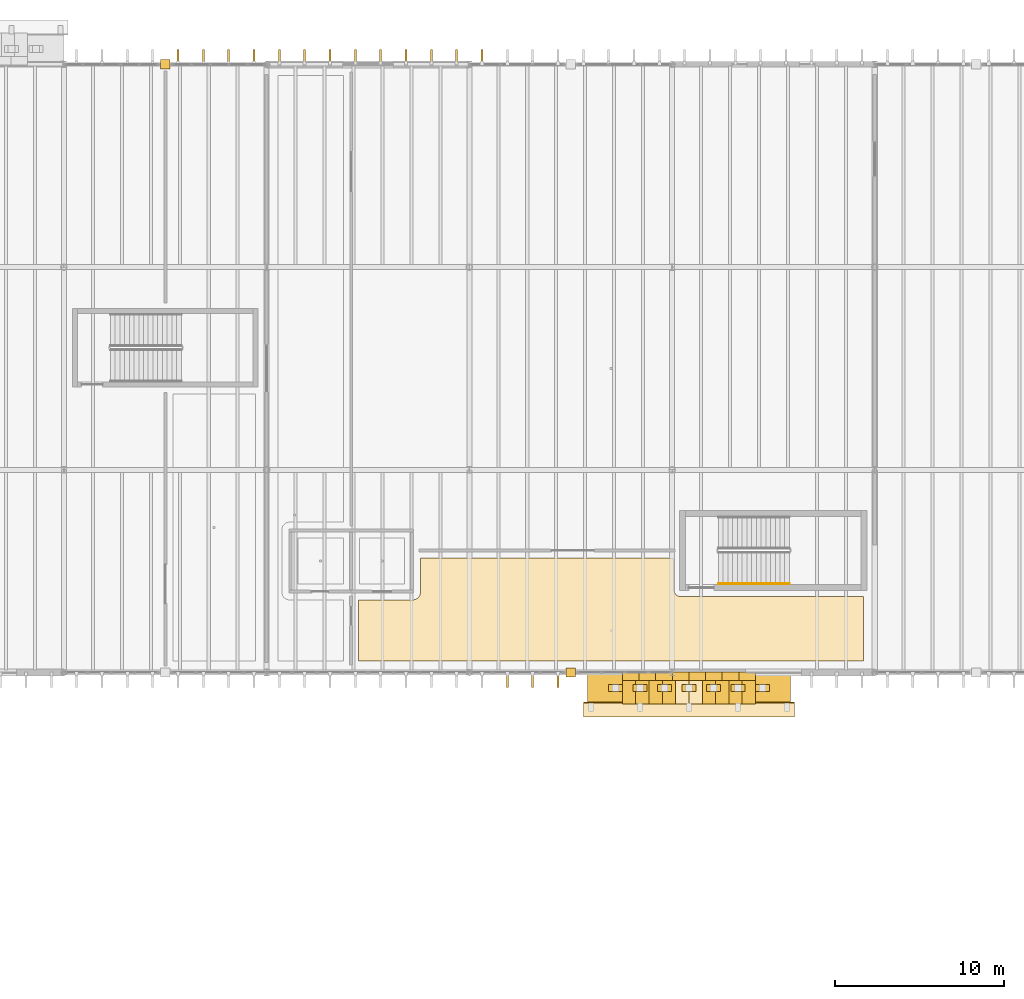
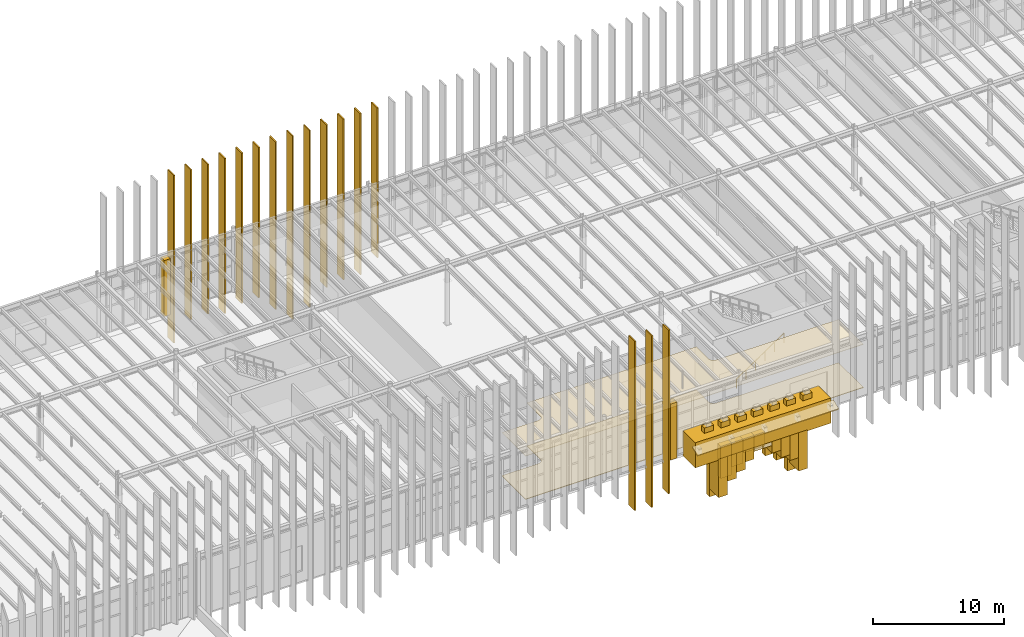
# One storey, part 66 of 83: 47 coverings, 1 railing.
"""IFC4 building model written with IfcOpenShell, lengths in metres."""

import ifcopenshell
import ifcopenshell.guid

model = None  # the IFC model being written
_history = None  # IfcOwnerHistory: only IFC2X3 demands one
_inside = {}  # id of a spatial element -> (the spatial element, [elements in it])
_under = {}  # id of a project, library or spatial element -> (it, [spatial elements below it])
_declared = {}  # id of a project -> (the project, [libraries it declares])
_typed = {}  # id of a type object -> (the type object, [elements of that type])
_made_of = {}  # id of a material, layer set ... -> (it, [elements and type objects made of it])


def new_model(schema):
    """Start an empty IFC model of exactly this schema.

    Asked for "IFC4X3", IfcOpenShell would pick the latest addendum, in which some entities
    have other attributes; the version numbers below select the first issue.
    IFC2X3 requires an IfcOwnerHistory on every rooted entity: one is made here for all.
    """
    global model, _history
    if schema == "IFC4X3":
        model = ifcopenshell.file(schema_version=(4, 3, 0, 0))
    else:
        model = ifcopenshell.file(schema=schema)
    _inside.clear()
    _under.clear()
    _declared.clear()
    _typed.clear()
    _made_of.clear()
    _history = None
    if model.schema == "IFC2X3":
        org = make("IfcOrganization", Name="unknown")
        user = make(
            "IfcPersonAndOrganization",
            ThePerson=make("IfcPerson", FamilyName="unknown"),
            TheOrganization=org,
        )
        app = make(
            "IfcApplication",
            ApplicationDeveloper=org,
            Version="unknown",
            ApplicationFullName="unknown",
            ApplicationIdentifier="unknown",
        )
        _history = make(
            "IfcOwnerHistory",
            OwningUser=user,
            OwningApplication=app,
            ChangeAction="ADDED",
            CreationDate=0,
        )
    return model


def make(cls, **values):
    """One entity of the class cls with the attributes given. An attribute that is None is left unset."""
    return model.create_entity(
        cls, **{name: value for name, value in values.items() if value is not None}
    )


def rooted(cls, **values):
    """An entity with a GlobalId (a new one), such as an element, a storey or a relation."""
    return make(cls, GlobalId=ifcopenshell.guid.new(), OwnerHistory=_history, **values)


def si_unit(unit_type, name, prefix=None):
    """IfcSIUnit, for example si_unit("LENGTHUNIT", "METRE", prefix="MILLI")."""
    return make("IfcSIUnit", UnitType=unit_type, Prefix=prefix, Name=name)


def assignment(units):
    """IfcUnitAssignment: the units of a project."""
    return None if units is None else make("IfcUnitAssignment", Units=units)


def point(xyz):
    """IfcCartesianPoint."""
    return None if xyz is None else make("IfcCartesianPoint", Coordinates=xyz)


def direction(xyz):
    """IfcDirection."""
    return None if xyz is None else make("IfcDirection", DirectionRatios=xyz)


def frame(location, z_axis=None, x_axis=None):
    """IfcAxis2Placement3D, a coordinate frame: its origin and axes. An axis left out is left unset."""
    return make(
        "IfcAxis2Placement3D",
        Location=point(location),
        Axis=direction(z_axis),
        RefDirection=direction(x_axis),
    )


def frame_2d(location, x_axis=None):
    """IfcAxis2Placement2D, a coordinate frame in the plane: its origin and x axis."""
    return make(
        "IfcAxis2Placement2D", Location=point(location), RefDirection=direction(x_axis)
    )


def origin():
    """The frame at (0, 0, 0) with its axes left unset."""
    return frame((0.0, 0.0, 0.0))


def origin_2d():
    """The frame at (0, 0) in the plane with its x axis left unset."""
    return frame_2d((0.0, 0.0))


def place(relative_to, where):
    """IfcLocalPlacement: puts the frame where relative to a parent placement (None: the world)."""
    return make(
        "IfcLocalPlacement", PlacementRelTo=relative_to, RelativePlacement=where
    )


def context(
    kind, dimensions, precision=None, world=None, true_north=None, identifier=None
):
    """IfcGeometricRepresentationContext, for example the 3D "Model" context."""
    return make(
        "IfcGeometricRepresentationContext",
        ContextIdentifier=identifier,
        ContextType=kind,
        CoordinateSpaceDimension=dimensions,
        Precision=precision,
        WorldCoordinateSystem=world,
        TrueNorth=true_north,
    )


def subcontext(parent, identifier, kind, view, scale=None):
    """IfcGeometricRepresentationSubContext, for example "Body" below "Model"."""
    return make(
        "IfcGeometricRepresentationSubContext",
        ContextIdentifier=identifier,
        ContextType=kind,
        ParentContext=parent,
        TargetScale=scale,
        TargetView=view,
    )


def project(units=None, contexts=None):
    """IfcProject with its units and contexts."""
    return rooted(
        "IfcProject",
        Name="project",
        RepresentationContexts=contexts,
        UnitsInContext=assignment(units),
    )


def spatial(cls, under=None, at=None, **own):
    """A site, building, storey or space (cls), placed at a placement, below another one or the project."""
    s = rooted(cls, ObjectPlacement=at, **own)
    if under is not None:
        _under.setdefault(under.id(), (under, []))[1].append(s)
    return s


def polyline(points):
    """IfcPolyline through the points."""
    return make("IfcPolyline", Points=[point(p) for p in points])


def profile(cls, at=None, kind="AREA", **sizes):
    """A parametric profile (cls). Its sizes go by their IFC names, for example OverallWidth=200.0."""
    return make(cls, ProfileType=kind, Position=at, **sizes)


def circle(**sizes):
    """IfcCircleProfileDef."""
    return profile("IfcCircleProfileDef", **sizes)


def outline(outer, holes=None, kind="AREA"):
    """IfcArbitraryClosedProfileDef: a profile drawn as a closed curve; with holes, ...WithVoids."""
    if holes is None:
        return make("IfcArbitraryClosedProfileDef", ProfileType=kind, OuterCurve=outer)
    return make(
        "IfcArbitraryProfileDefWithVoids",
        ProfileType=kind,
        OuterCurve=outer,
        InnerCurves=holes,
    )


def extrude(swept, where, along, depth):
    """IfcExtrudedAreaSolid: the profile swept, set in the frame where, extruded along a direction by depth."""
    return make(
        "IfcExtrudedAreaSolid",
        SweptArea=swept,
        Position=where,
        ExtrudedDirection=direction(along),
        Depth=depth,
    )


def shape(context_of_items, identifier, shape_type, items):
    """IfcShapeRepresentation: the items that make up one representation, for example the "Body"."""
    return make(
        "IfcShapeRepresentation",
        ContextOfItems=context_of_items,
        RepresentationIdentifier=identifier,
        RepresentationType=shape_type,
        Items=items,
    )


def material(Name=None, Category=None):
    """IfcMaterial."""
    return make("IfcMaterial", Name=Name, Category=Category)


def layer(
    of_material, thickness, ventilated=None, Name=None, Category=None, Priority=None
):
    """IfcMaterialLayer: one layer of a wall or slab, of a material (None: an air gap)."""
    return make(
        "IfcMaterialLayer",
        Material=of_material,
        LayerThickness=thickness,
        IsVentilated=ventilated,
        Name=Name,
        Category=Category,
        Priority=Priority,
    )


def layer_set(layers, Name=None):
    """IfcMaterialLayerSet."""
    return make("IfcMaterialLayerSet", MaterialLayers=layers, LayerSetName=Name)


def made_of(thing, what):
    """Note that an element or type object is made of a material, layer set ...; save() writes the relation."""
    if what is not None:
        _made_of.setdefault(what.id(), (what, []))[1].append(thing)
    return thing


def type_object(cls, material=None, **own):
    """A type object (cls), such as IfcWallType, which elements share."""
    return made_of(rooted(cls, **own), material)


def element(
    cls,
    number,
    at=None,
    inside=None,
    cuts=None,
    type_object=None,
    material=None,
    context=None,
    identifier="Body",
    shape_type=None,
    held_by="IfcProductDefinitionShape",
    body=None,
    shapes=None,
    **own,
):
    """One element of the class cls, such as IfcWall. Its Tag is "e" and its number.

    at: its placement. inside: the storey or other place that contains it. cuts: it is an
    opening in that element (IfcRelVoidsElement). A single representation is given by context,
    identifier, shape_type and body (its items); several are given by shapes. held_by: the class
    of the entity that holds the representations. save() writes the other relations.
    """
    e = rooted(cls, Tag="e%d" % number, ObjectPlacement=at, **own)
    if body is not None:
        shapes = [shape(context, identifier, shape_type, body)]
    if shapes is not None:
        e.Representation = make(held_by, Representations=shapes)
    if inside is not None:
        _inside.setdefault(inside.id(), (inside, []))[1].append(e)
    if cuts is not None:
        rooted(
            "IfcRelVoidsElement", RelatingBuildingElement=cuts, RelatedOpeningElement=e
        )
    if type_object is not None:
        _typed.setdefault(type_object.id(), (type_object, []))[1].append(e)
    return made_of(e, material)


def aggregate(whole, parts):
    """IfcRelAggregates: a whole, such as a stair, and the parts it consists of."""
    return rooted("IfcRelAggregates", RelatingObject=whole, RelatedObjects=parts)


def save(model, path):
    """Write the relations noted so far, then the file.

    IfcRelAggregates (storeys below a building ...), IfcRelContainedInSpatialStructure (elements
    in a storey), IfcRelDefinesByType, IfcRelAssociatesMaterial and IfcRelDeclares: one each for
    every whole, place, type object, material and project.
    """
    for whole, parts in _under.values():
        aggregate(whole, parts)
    for where, things in _inside.values():
        rooted(
            "IfcRelContainedInSpatialStructure",
            RelatedElements=things,
            RelatingStructure=where,
        )
    for kind, things in _typed.values():
        rooted("IfcRelDefinesByType", RelatedObjects=things, RelatingType=kind)
    for what, things in _made_of.values():
        rooted("IfcRelAssociatesMaterial", RelatedObjects=things, RelatingMaterial=what)
    for by, libraries in _declared.values():
        rooted("IfcRelDeclares", RelatingContext=by, RelatedDefinitions=libraries)
    model.write(path)


model = new_model("IFC4")

# Units and contexts
model_context = context("Model", 3, precision=1e-05, world=origin(), true_north=direction((0.0, 1.0)))
body_context = subcontext(model_context, "Body", "Model", "MODEL_VIEW")
ifc_project = project(units=[si_unit("LENGTHUNIT", "METRE"), si_unit("AREAUNIT", "SQUARE_METRE"), si_unit("VOLUMEUNIT", "CUBIC_METRE"), si_unit("PLANEANGLEUNIT", "RADIAN"), si_unit("MASSUNIT", "GRAM", prefix="KILO")], contexts=[model_context])

# Site, building, storey
site_placement = place(None, origin())
site = spatial("IfcSite", under=ifc_project, at=site_placement, CompositionType="ELEMENT")
building_placement = place(site_placement, origin())
building = spatial("IfcBuilding", under=site, at=building_placement, Name="Zlatogorsky Bluff Art Gallery", CompositionType="ELEMENT")
storey_placement = place(building_placement, frame((0.0, 0.0, 10.800048828125)))
storey = spatial("IfcBuildingStorey", under=building, at=storey_placement, Name="L02", CompositionType="ELEMENT", Elevation=10.800048828125)

# Coverings
ifc_material_1 = material(Name="Perforated Gypsum Acoustic Board", Category="gypsum")
ifc_layer_1 = layer(ifc_material_1, 0.0400390625)
ifc_layer_set_1 = layer_set([ifc_layer_1], Name="Acoustic Gallery Ceiling CLG-01")
covering_type_1 = type_object("IfcCoveringType", Name="Acoustic Gallery Ceiling CLG-01", PredefinedType="CEILING", material=ifc_layer_set_1)
covering_1_placement = place(storey_placement, frame((0.0, 0.0, 4.050048828125)))
element("IfcCovering", 1, at=covering_1_placement, inside=storey, type_object=covering_type_1, Name="Mughal Miniature and Decorative Arts Gallery acoustic ceiling", PredefinedType="CEILING", context=body_context, shape_type="SweptSolid", body=[
    extrude(outline(polyline([(56.64990234375, 88.300048828125), (56.694091796875, 88.30224609375), (56.73779296875, 88.30859375), (56.780517578125, 88.3193359375), (56.822265625, 88.334228515625), (56.862060546875, 88.35302734375), (56.89990234375, 88.375732421875), (56.935546875, 88.402099609375), (56.96826171875, 88.431884765625), (56.997802734375, 88.464599609375), (57.024169921875, 88.5), (57.046875, 88.537841796875), (57.065673828125, 88.577880859375), (57.08056640625, 88.619384765625), (57.09130859375, 88.662109375), (57.097900390625, 88.705810546875), (57.10009765625, 88.75), (57.10009765625, 90.77490234375), (72.090087890625, 90.77490234375), (72.090087890625, 88.948974609375), (72.09228515625, 88.90478515625), (72.0986328125, 88.860595703125), (72.098876953125, 88.859619140625), (72.100830078125, 88.850341796875), (72.10107421875, 88.849609375), (72.113037109375, 88.80615234375), (72.129150390625, 88.764404296875), (72.1298828125, 88.762451171875), (72.147705078125, 88.726806640625), (72.148193359375, 88.725830078125), (72.16796875, 88.693603515625), (72.190185546875, 88.663330078125), (72.19140625, 88.661865234375), (72.224609375, 88.624755859375), (72.26171875, 88.591552734375), (72.26318359375, 88.59033203125), (72.293701171875, 88.568115234375), (72.325927734375, 88.54833984375), (72.326904296875, 88.5478515625), (72.362548828125, 88.530029296875), (72.3642578125, 88.529296875), (72.40625, 88.512939453125), (72.449462890625, 88.501220703125), (72.450439453125, 88.5009765625), (72.459716796875, 88.498779296875), (72.460693359375, 88.498779296875), (72.504638671875, 88.4921875), (72.549072265625, 88.489990234375), (83.330078125, 88.489990234375), (83.330078125, 84.669921875), (53.449951171875, 84.669921875), (53.449951171875, 88.300048828125), (56.64990234375, 88.300048828125)])), origin(), (0.0, 0.0, 1.0), 0.039794921875),
])
ifc_material_2 = material(Name="Honed Red Agra-Tone Quartzitic Sandstone", Category="masonry")
ifc_layer_2 = layer(ifc_material_2, 0.1201171875)
ifc_layer_set_2 = layer_set([ifc_layer_2], Name="Carved Sandstone Cladding CLD-02")
covering_type_2 = type_object("IfcCoveringType", Name="Carved Sandstone Cladding CLD-02", PredefinedType="CLADDING", material=ifc_layer_set_2)
covering_2_placement = place(storey_placement, frame((0.0, 0.0, -0.030029296875)))
element("IfcCovering", 2, at=covering_2_placement, inside=storey, type_object=covering_type_2, Name="Mughal dalan central sandstone pier L02 N 3.10", PredefinedType="CLADDING", context=body_context, shape_type="SweptSolid", body=[
    extrude(outline(polyline([(41.719970703125, 119.719970703125), (42.280029296875, 119.719970703125), (42.280029296875, 120.280029296875), (41.719970703125, 120.280029296875), (41.719970703125, 119.719970703125)])), origin(), (0.0, 0.0, 1.0), 5.239990234375),
])
covering_3_placement = place(storey_placement, frame((0.0, 0.0, -0.030029296875)))
element("IfcCovering", 3, at=covering_3_placement, inside=storey, type_object=covering_type_2, Name="Mughal dalan central sandstone pier L02 S 5.8", PredefinedType="CLADDING", context=body_context, shape_type="SweptSolid", body=[
    extrude(outline(polyline([(65.719970703125, 83.719970703125), (66.280029296875, 83.719970703125), (66.280029296875, 84.280029296875), (65.719970703125, 84.280029296875), (65.719970703125, 83.719970703125)])), origin(), (0.0, 0.0, 1.0), 5.239990234375),
])
covering_4_placement = place(storey_placement, frame((0.0, 0.0, -0.25)))
element("IfcCovering", 4, at=covering_4_placement, inside=storey, type_object=covering_type_2, Name="Pishtaq portal crown entablature PISHTAQ-COURT-IWAN", PredefinedType="CLADDING", context=body_context, shape_type="SweptSolid", body=[
    extrude(outline(polyline([(67.0, 82.14990234375), (79.0, 82.14990234375), (79.0, 84.0400390625), (67.0, 84.0400390625), (67.0, 82.14990234375)])), origin(), (0.0, 0.0, 1.0), 2.349853515625),
])
covering_5_placement = place(storey_placement, frame((0.0, 0.0, -3.75390625)))
element("IfcCovering", 5, at=covering_5_placement, inside=storey, type_object=covering_type_2, Name="Pointed Mughal arch voussoir spandrel PISHTAQ-COURT-IWAN-ARCH.1", PredefinedType="CLADDING", context=body_context, shape_type="SweptSolid", body=[
    extrude(outline(polyline([(69.06005859375, 82.14990234375), (69.847900390625, 82.14990234375), (69.847900390625, 83.610107421875), (69.06005859375, 83.610107421875), (69.06005859375, 82.14990234375)])), origin(), (0.0, 0.0, 1.0), 3.603759765625),
])
covering_6_placement = place(storey_placement, frame((0.0, 0.0, -2.48388671875)))
element("IfcCovering", 6, at=covering_6_placement, inside=storey, type_object=covering_type_2, Name="Pointed Mughal arch voussoir spandrel PISHTAQ-COURT-IWAN-ARCH.2", PredefinedType="CLADDING", context=body_context, shape_type="SweptSolid", body=[
    extrude(outline(polyline([(69.847900390625, 82.14990234375), (70.635986328125, 82.14990234375), (70.635986328125, 83.610107421875), (69.847900390625, 83.610107421875), (69.847900390625, 82.14990234375)])), origin(), (0.0, 0.0, 1.0), 2.333740234375),
])
covering_7_placement = place(storey_placement, frame((0.0, 0.0, -1.93798828125)))
element("IfcCovering", 7, at=covering_7_placement, inside=storey, type_object=covering_type_2, Name="Pointed Mughal arch voussoir spandrel PISHTAQ-COURT-IWAN-ARCH.3", PredefinedType="CLADDING", context=body_context, shape_type="SweptSolid", body=[
    extrude(outline(polyline([(70.635986328125, 82.14990234375), (71.424072265625, 82.14990234375), (71.424072265625, 83.610107421875), (70.635986328125, 83.610107421875), (70.635986328125, 82.14990234375)])), origin(), (0.0, 0.0, 1.0), 1.787841796875),
])
covering_8_placement = place(storey_placement, frame((0.0, 0.0, -1.240234375)))
element("IfcCovering", 8, at=covering_8_placement, inside=storey, type_object=covering_type_2, Name="Pointed Mughal arch voussoir spandrel PISHTAQ-COURT-IWAN-ARCH.4", PredefinedType="CLADDING", context=body_context, shape_type="SweptSolid", body=[
    extrude(outline(polyline([(71.424072265625, 82.14990234375), (72.2119140625, 82.14990234375), (72.2119140625, 83.610107421875), (71.424072265625, 83.610107421875), (71.424072265625, 82.14990234375)])), origin(), (0.0, 0.0, 1.0), 1.090087890625),
])
covering_9_placement = place(storey_placement, frame((0.0, 0.0, -0.532470703125)))
element("IfcCovering", 9, at=covering_9_placement, inside=storey, type_object=covering_type_2, Name="Pointed Mughal arch voussoir spandrel PISHTAQ-COURT-IWAN-ARCH.5", PredefinedType="CLADDING", context=body_context, shape_type="SweptSolid", body=[
    extrude(outline(polyline([(72.2119140625, 82.14990234375), (73.0, 82.14990234375), (73.0, 83.610107421875), (72.2119140625, 83.610107421875), (72.2119140625, 82.14990234375)])), origin(), (0.0, 0.0, 1.0), 0.38232421875),
])
covering_10_placement = place(storey_placement, frame((0.0, 0.0, -0.532470703125)))
element("IfcCovering", 10, at=covering_10_placement, inside=storey, type_object=covering_type_2, Name="Pointed Mughal arch voussoir spandrel PISHTAQ-COURT-IWAN-ARCH.6", PredefinedType="CLADDING", context=body_context, shape_type="SweptSolid", body=[
    extrude(outline(polyline([(73.0, 82.14990234375), (73.7880859375, 82.14990234375), (73.7880859375, 83.610107421875), (73.0, 83.610107421875), (73.0, 82.14990234375)])), origin(), (0.0, 0.0, 1.0), 0.38232421875),
])
covering_11_placement = place(storey_placement, frame((0.0, 0.0, -1.240234375)))
element("IfcCovering", 11, at=covering_11_placement, inside=storey, type_object=covering_type_2, Name="Pointed Mughal arch voussoir spandrel PISHTAQ-COURT-IWAN-ARCH.7", PredefinedType="CLADDING", context=body_context, shape_type="SweptSolid", body=[
    extrude(outline(polyline([(73.7880859375, 82.14990234375), (74.575927734375, 82.14990234375), (74.575927734375, 83.610107421875), (73.7880859375, 83.610107421875), (73.7880859375, 82.14990234375)])), origin(), (0.0, 0.0, 1.0), 1.090087890625),
])
covering_12_placement = place(storey_placement, frame((0.0, 0.0, -1.93798828125)))
element("IfcCovering", 12, at=covering_12_placement, inside=storey, type_object=covering_type_2, Name="Pointed Mughal arch voussoir spandrel PISHTAQ-COURT-IWAN-ARCH.8", PredefinedType="CLADDING", context=body_context, shape_type="SweptSolid", body=[
    extrude(outline(polyline([(74.575927734375, 82.14990234375), (75.364013671875, 82.14990234375), (75.364013671875, 83.610107421875), (74.575927734375, 83.610107421875), (74.575927734375, 82.14990234375)])), origin(), (0.0, 0.0, 1.0), 1.787841796875),
])
covering_13_placement = place(storey_placement, frame((0.0, 0.0, -2.48388671875)))
element("IfcCovering", 13, at=covering_13_placement, inside=storey, type_object=covering_type_2, Name="Pointed Mughal arch voussoir spandrel PISHTAQ-COURT-IWAN-ARCH.9", PredefinedType="CLADDING", context=body_context, shape_type="SweptSolid", body=[
    extrude(outline(polyline([(75.364013671875, 82.14990234375), (76.152099609375, 82.14990234375), (76.152099609375, 83.610107421875), (75.364013671875, 83.610107421875), (75.364013671875, 82.14990234375)])), origin(), (0.0, 0.0, 1.0), 2.333740234375),
])
covering_14_placement = place(storey_placement, frame((0.0, 0.0, -3.75390625)))
element("IfcCovering", 14, at=covering_14_placement, inside=storey, type_object=covering_type_2, Name="Pointed Mughal arch voussoir spandrel PISHTAQ-COURT-IWAN-ARCH.10", PredefinedType="CLADDING", context=body_context, shape_type="SweptSolid", body=[
    extrude(outline(polyline([(76.152099609375, 82.14990234375), (76.93994140625, 82.14990234375), (76.93994140625, 83.610107421875), (76.152099609375, 83.610107421875), (76.152099609375, 82.14990234375)])), origin(), (0.0, 0.0, 1.0), 3.603759765625),
])
covering_15_placement = place(storey_placement, frame((0.0, 0.0, -4.51953125)))
element("IfcCovering", 15, at=covering_15_placement, inside=storey, type_object=covering_type_2, Name="Pointed Mughal arch voussoir spandrel PISHTAQ-COURT-IWAN-IWAN.1", PredefinedType="CLADDING", context=body_context, shape_type="SweptSolid", body=[
    extrude(outline(polyline([(69.06005859375, 83.5400390625), (70.044921875, 83.5400390625), (70.044921875, 84.030029296875), (69.06005859375, 84.030029296875), (69.06005859375, 83.5400390625)])), origin(), (0.0, 0.0, 1.0), 4.369384765625),
])
covering_16_placement = place(storey_placement, frame((0.0, 0.0, -3.16162109375)))
element("IfcCovering", 16, at=covering_16_placement, inside=storey, type_object=covering_type_2, Name="Pointed Mughal arch voussoir spandrel PISHTAQ-COURT-IWAN-IWAN.2", PredefinedType="CLADDING", context=body_context, shape_type="SweptSolid", body=[
    extrude(outline(polyline([(70.044921875, 83.5400390625), (71.030029296875, 83.5400390625), (71.030029296875, 84.030029296875), (70.044921875, 84.030029296875), (70.044921875, 83.5400390625)])), origin(), (0.0, 0.0, 1.0), 3.011474609375),
])
covering_17_placement = place(storey_placement, frame((0.0, 0.0, -2.412841796875)))
element("IfcCovering", 17, at=covering_17_placement, inside=storey, type_object=covering_type_2, Name="Pointed Mughal arch voussoir spandrel PISHTAQ-COURT-IWAN-IWAN.3", PredefinedType="CLADDING", context=body_context, shape_type="SweptSolid", body=[
    extrude(outline(polyline([(71.030029296875, 83.5400390625), (72.014892578125, 83.5400390625), (72.014892578125, 84.030029296875), (71.030029296875, 84.030029296875), (71.030029296875, 83.5400390625)])), origin(), (0.0, 0.0, 1.0), 2.2626953125),
])
covering_18_placement = place(storey_placement, frame((0.0, 0.0, -1.470703125)))
element("IfcCovering", 18, at=covering_18_placement, inside=storey, type_object=covering_type_2, Name="Pointed Mughal arch voussoir spandrel PISHTAQ-COURT-IWAN-IWAN.4", PredefinedType="CLADDING", context=body_context, shape_type="SweptSolid", body=[
    extrude(outline(polyline([(72.014892578125, 83.5400390625), (73.0, 83.5400390625), (73.0, 84.030029296875), (72.014892578125, 84.030029296875), (72.014892578125, 83.5400390625)])), origin(), (0.0, 0.0, 1.0), 1.320556640625),
])
covering_19_placement = place(storey_placement, frame((0.0, 0.0, -1.470703125)))
element("IfcCovering", 19, at=covering_19_placement, inside=storey, type_object=covering_type_2, Name="Pointed Mughal arch voussoir spandrel PISHTAQ-COURT-IWAN-IWAN.5", PredefinedType="CLADDING", context=body_context, shape_type="SweptSolid", body=[
    extrude(outline(polyline([(73.0, 83.5400390625), (73.985107421875, 83.5400390625), (73.985107421875, 84.030029296875), (73.0, 84.030029296875), (73.0, 83.5400390625)])), origin(), (0.0, 0.0, 1.0), 1.320556640625),
])
covering_20_placement = place(storey_placement, frame((0.0, 0.0, -2.412841796875)))
element("IfcCovering", 20, at=covering_20_placement, inside=storey, type_object=covering_type_2, Name="Pointed Mughal arch voussoir spandrel PISHTAQ-COURT-IWAN-IWAN.6", PredefinedType="CLADDING", context=body_context, shape_type="SweptSolid", body=[
    extrude(outline(polyline([(73.985107421875, 83.5400390625), (74.969970703125, 83.5400390625), (74.969970703125, 84.030029296875), (73.985107421875, 84.030029296875), (73.985107421875, 83.5400390625)])), origin(), (0.0, 0.0, 1.0), 2.2626953125),
])
covering_21_placement = place(storey_placement, frame((0.0, 0.0, -3.16162109375)))
element("IfcCovering", 21, at=covering_21_placement, inside=storey, type_object=covering_type_2, Name="Pointed Mughal arch voussoir spandrel PISHTAQ-COURT-IWAN-IWAN.7", PredefinedType="CLADDING", context=body_context, shape_type="SweptSolid", body=[
    extrude(outline(polyline([(74.969970703125, 83.5400390625), (75.955078125, 83.5400390625), (75.955078125, 84.030029296875), (74.969970703125, 84.030029296875), (74.969970703125, 83.5400390625)])), origin(), (0.0, 0.0, 1.0), 3.011474609375),
])
covering_22_placement = place(storey_placement, frame((0.0, 0.0, -4.51953125)))
element("IfcCovering", 22, at=covering_22_placement, inside=storey, type_object=covering_type_2, Name="Pointed Mughal arch voussoir spandrel PISHTAQ-COURT-IWAN-IWAN.8", PredefinedType="CLADDING", context=body_context, shape_type="SweptSolid", body=[
    extrude(outline(polyline([(75.955078125, 83.5400390625), (76.93994140625, 83.5400390625), (76.93994140625, 84.030029296875), (75.955078125, 84.030029296875), (75.955078125, 83.5400390625)])), origin(), (0.0, 0.0, 1.0), 4.369384765625),
])
covering_23_placement = place(storey_placement, frame((79.25, 82.18994140625, 1.820068359375), z_axis=(0.0, -0.383169585951, 0.923678011215), x_axis=(-1.0, 0.0, 0.0)))
element("IfcCovering", 23, at=covering_23_placement, inside=storey, type_object=covering_type_2, Name="Projecting sloped Mughal chhajja stone eave PISHTAQ-COURT-IWAN-CHJ", PredefinedType="CLADDING", context=body_context, shape_type="SweptSolid", body=[
    extrude(outline(polyline([(0.0, 0.0), (12.5, 0.0), (12.5, 0.8875649401586398), (0.0, 0.8875649401586398), (0.0, 0.0)])), origin(), (0.0, 0.0, -1.0), 0.139892578125),
])
covering_24_placement = place(storey_placement, frame((0.0, 0.0, 2.070068359375)))
element("IfcCovering", 24, at=covering_24_placement, inside=storey, type_object=covering_type_2, Name="Kangura stepped merlon base PISHTAQ-COURT-IWAN.1", PredefinedType="CLADDING", context=body_context, shape_type="SweptSolid", body=[
    extrude(outline(polyline([(68.239990234375, 82.885009765625), (69.06005859375, 82.885009765625), (69.06005859375, 83.304931640625), (68.239990234375, 83.304931640625), (68.239990234375, 82.885009765625)])), origin(), (0.0, 0.0, 1.0), 0.538330078125),
])
covering_25_placement = place(storey_placement, frame((0.0, 0.0, 2.070068359375)))
element("IfcCovering", 25, at=covering_25_placement, inside=storey, type_object=covering_type_2, Name="Kangura stepped merlon base PISHTAQ-COURT-IWAN.2", PredefinedType="CLADDING", context=body_context, shape_type="SweptSolid", body=[
    extrude(outline(polyline([(69.68994140625, 82.885009765625), (70.510009765625, 82.885009765625), (70.510009765625, 83.304931640625), (69.68994140625, 83.304931640625), (69.68994140625, 82.885009765625)])), origin(), (0.0, 0.0, 1.0), 0.538330078125),
])
covering_26_placement = place(storey_placement, frame((0.0, 0.0, 2.070068359375)))
element("IfcCovering", 26, at=covering_26_placement, inside=storey, type_object=covering_type_2, Name="Kangura stepped merlon base PISHTAQ-COURT-IWAN.3", PredefinedType="CLADDING", context=body_context, shape_type="SweptSolid", body=[
    extrude(outline(polyline([(71.139892578125, 82.885009765625), (71.9599609375, 82.885009765625), (71.9599609375, 83.304931640625), (71.139892578125, 83.304931640625), (71.139892578125, 82.885009765625)])), origin(), (0.0, 0.0, 1.0), 0.538330078125),
])
covering_27_placement = place(storey_placement, frame((0.0, 0.0, 2.070068359375)))
element("IfcCovering", 27, at=covering_27_placement, inside=storey, type_object=covering_type_2, Name="Kangura stepped merlon base PISHTAQ-COURT-IWAN.4", PredefinedType="CLADDING", context=body_context, shape_type="SweptSolid", body=[
    extrude(outline(polyline([(72.590087890625, 82.885009765625), (73.409912109375, 82.885009765625), (73.409912109375, 83.304931640625), (72.590087890625, 83.304931640625), (72.590087890625, 82.885009765625)])), origin(), (0.0, 0.0, 1.0), 0.538330078125),
])
covering_28_placement = place(storey_placement, frame((0.0, 0.0, 2.070068359375)))
element("IfcCovering", 28, at=covering_28_placement, inside=storey, type_object=covering_type_2, Name="Kangura stepped merlon base PISHTAQ-COURT-IWAN.5", PredefinedType="CLADDING", context=body_context, shape_type="SweptSolid", body=[
    extrude(outline(polyline([(74.0400390625, 82.885009765625), (74.860107421875, 82.885009765625), (74.860107421875, 83.304931640625), (74.0400390625, 83.304931640625), (74.0400390625, 82.885009765625)])), origin(), (0.0, 0.0, 1.0), 0.538330078125),
])
covering_29_placement = place(storey_placement, frame((0.0, 0.0, 2.070068359375)))
element("IfcCovering", 29, at=covering_29_placement, inside=storey, type_object=covering_type_2, Name="Kangura stepped merlon base PISHTAQ-COURT-IWAN.6", PredefinedType="CLADDING", context=body_context, shape_type="SweptSolid", body=[
    extrude(outline(polyline([(75.489990234375, 82.885009765625), (76.31005859375, 82.885009765625), (76.31005859375, 83.304931640625), (75.489990234375, 83.304931640625), (75.489990234375, 82.885009765625)])), origin(), (0.0, 0.0, 1.0), 0.538330078125),
])
covering_30_placement = place(storey_placement, frame((0.0, 0.0, 2.070068359375)))
element("IfcCovering", 30, at=covering_30_placement, inside=storey, type_object=covering_type_2, Name="Kangura stepped merlon base PISHTAQ-COURT-IWAN.7", PredefinedType="CLADDING", context=body_context, shape_type="SweptSolid", body=[
    extrude(outline(polyline([(76.93994140625, 82.885009765625), (77.760009765625, 82.885009765625), (77.760009765625, 83.304931640625), (76.93994140625, 83.304931640625), (76.93994140625, 82.885009765625)])), origin(), (0.0, 0.0, 1.0), 0.538330078125),
])

# Railing
ifc_material_3 = material(Name="Brushed Stainless Steel", Category="steel")
railing_type = type_object("IfcRailingType", Name="Stair Pitch Handrail 900mm", PredefinedType="HANDRAIL", material=ifc_material_3)
railing_placement = place(storey_placement, frame((74.75, 89.25, 0.1875)))
element("IfcRailing", 31, at=railing_placement, inside=storey, type_object=railing_type, Name="L02 ST-08 stair handrail 1", PredefinedType="HANDRAIL", context=body_context, shape_type="SweptSolid", body=[
    extrude(circle(Radius=0.02392578125, at=origin_2d()), frame((0.0, 0.0, 0.8759765625), z_axis=(0.830904186295, 0.0, 0.556415522067), x_axis=(0.0, 1.0, 0.0)), (0.0, 0.0, 1.0), 5.0546875),
    extrude(circle(Radius=0.02099609375, at=origin_2d()), origin(), (0.0, 0.0, 1.0), 0.851806640625),
    extrude(circle(Radius=0.02099609375, at=origin_2d()), frame((0.840087890625, 0.0, 0.5625)), (0.0, 0.0, 1.0), 0.851806640625),
    extrude(circle(Radius=0.02099609375, at=origin_2d()), frame((1.679931640625, 0.0, 1.125)), (0.0, 0.0, 1.0), 0.851806640625),
    extrude(circle(Radius=0.02099609375, at=origin_2d()), frame((2.52001953125, 0.0, 1.6875)), (0.0, 0.0, 1.0), 0.851806640625),
    extrude(circle(Radius=0.02099609375, at=origin_2d()), frame((3.35986328125, 0.0, 2.25)), (0.0, 0.0, 1.0), 0.851806640625),
    extrude(circle(Radius=0.02099609375, at=origin_2d()), frame((4.199951171875, 0.0, 2.8125)), (0.0, 0.0, 1.0), 0.851806640625),
])

# Coverings
ifc_material_4 = material(Name="Polished Ural Marble Terrazzo", Category="masonry")
ifc_layer_3 = layer(ifc_material_4, 0.050048828125)
ifc_layer_set_3 = layer_set([ifc_layer_3], Name="Terrazzo Gallery Flooring FLR-01")
covering_type_3 = type_object("IfcCoveringType", Name="Terrazzo Gallery Flooring FLR-01", PredefinedType="FLOORING", material=ifc_layer_set_3)
covering_31_placement = place(storey_placement, origin())
element("IfcCovering", 32, at=covering_31_placement, inside=storey, type_object=covering_type_3, Name="Mughal Miniature and Decorative Arts Gallery terrazzo floor finish", PredefinedType="FLOORING", context=body_context, shape_type="SweptSolid", body=[
    extrude(outline(polyline([(56.64990234375, 88.300048828125), (56.694091796875, 88.30224609375), (56.73779296875, 88.30859375), (56.780517578125, 88.3193359375), (56.822265625, 88.334228515625), (56.862060546875, 88.35302734375), (56.89990234375, 88.375732421875), (56.935546875, 88.402099609375), (56.96826171875, 88.431884765625), (56.997802734375, 88.464599609375), (57.024169921875, 88.5), (57.046875, 88.537841796875), (57.065673828125, 88.577880859375), (57.08056640625, 88.619384765625), (57.09130859375, 88.662109375), (57.097900390625, 88.705810546875), (57.10009765625, 88.75), (57.10009765625, 90.77490234375), (72.090087890625, 90.77490234375), (72.090087890625, 88.948974609375), (72.09228515625, 88.90478515625), (72.0986328125, 88.860595703125), (72.098876953125, 88.859619140625), (72.100830078125, 88.850341796875), (72.10107421875, 88.849609375), (72.113037109375, 88.80615234375), (72.129150390625, 88.764404296875), (72.1298828125, 88.762451171875), (72.147705078125, 88.726806640625), (72.148193359375, 88.725830078125), (72.16796875, 88.693603515625), (72.190185546875, 88.663330078125), (72.19140625, 88.661865234375), (72.224609375, 88.624755859375), (72.26171875, 88.591552734375), (72.26318359375, 88.59033203125), (72.293701171875, 88.568115234375), (72.325927734375, 88.54833984375), (72.326904296875, 88.5478515625), (72.362548828125, 88.530029296875), (72.3642578125, 88.529296875), (72.40625, 88.512939453125), (72.449462890625, 88.501220703125), (72.450439453125, 88.5009765625), (72.459716796875, 88.498779296875), (72.460693359375, 88.498779296875), (72.504638671875, 88.4921875), (72.549072265625, 88.489990234375), (83.330078125, 88.489990234375), (83.330078125, 84.669921875), (53.449951171875, 84.669921875), (53.449951171875, 88.300048828125), (56.64990234375, 88.300048828125)])), origin(), (0.0, 0.0, 1.0), 0.050048828125),
])
ifc_material_5 = material(Name="Patinated Architectural Bronze Fin", Category="metal")
ifc_layer_4 = layer(ifc_material_5, 0.110107421875)
ifc_layer_set_4 = layer_set([ifc_layer_4], Name="Vertical Gallery Fin FIN-01")
covering_type_4 = type_object("IfcCoveringType", Name="Vertical Gallery Fin FIN-01", PredefinedType="CLADDING", material=ifc_layer_set_4)
covering_32_placement = place(storey_placement, frame((0.0, 0.0, -3.14306640625)))
element("IfcCovering", 33, at=covering_32_placement, inside=storey, type_object=covering_type_4, Name="Lifted gallery vertical bronze fin S.042", PredefinedType="CLADDING", context=body_context, shape_type="SweptSolid", body=[
    extrude(outline(polyline([(62.18994140625, 83.1201171875), (62.31005859375, 83.1201171875), (62.31005859375, 84.0400390625), (62.18994140625, 84.0400390625), (62.18994140625, 83.1201171875)])), origin(), (0.0, 0.0, 1.0), 15.822998046875),
])
covering_33_placement = place(storey_placement, frame((0.0, 0.0, -3.379150390625)))
element("IfcCovering", 34, at=covering_33_placement, inside=storey, type_object=covering_type_4, Name="Lifted gallery vertical bronze fin S.043", PredefinedType="CLADDING", context=body_context, shape_type="SweptSolid", body=[
    extrude(outline(polyline([(63.68994140625, 83.1201171875), (63.81005859375, 83.1201171875), (63.81005859375, 84.0400390625), (63.68994140625, 84.0400390625), (63.68994140625, 83.1201171875)])), origin(), (0.0, 0.0, 1.0), 16.05908203125),
])
covering_34_placement = place(storey_placement, frame((0.0, 0.0, -2.631103515625)))
element("IfcCovering", 35, at=covering_34_placement, inside=storey, type_object=covering_type_4, Name="Lifted gallery vertical bronze fin S.044", PredefinedType="CLADDING", context=body_context, shape_type="SweptSolid", body=[
    extrude(outline(polyline([(65.18994140625, 83.1201171875), (65.31005859375, 83.1201171875), (65.31005859375, 84.0400390625), (65.18994140625, 84.0400390625), (65.18994140625, 83.1201171875)])), origin(), (0.0, 0.0, 1.0), 15.31103515625),
])
covering_35_placement = place(storey_placement, frame((0.0, 0.0, -2.989013671875)))
element("IfcCovering", 36, at=covering_35_placement, inside=storey, type_object=covering_type_4, Name="Lifted gallery vertical bronze fin N.092", PredefinedType="CLADDING", context=body_context, shape_type="SweptSolid", body=[
    extrude(outline(polyline([(42.68994140625, 119.9599609375), (42.81005859375, 119.9599609375), (42.81005859375, 120.8798828125), (42.68994140625, 120.8798828125), (42.68994140625, 119.9599609375)])), origin(), (0.0, 0.0, 1.0), 15.6689453125),
])
covering_36_placement = place(storey_placement, frame((0.0, 0.0, -1.3330078125)))
element("IfcCovering", 37, at=covering_36_placement, inside=storey, type_object=covering_type_4, Name="Lifted gallery vertical bronze fin N.093", PredefinedType="CLADDING", context=body_context, shape_type="SweptSolid", body=[
    extrude(outline(polyline([(44.18994140625, 119.9599609375), (44.31005859375, 119.9599609375), (44.31005859375, 120.8798828125), (44.18994140625, 120.8798828125), (44.18994140625, 119.9599609375)])), origin(), (0.0, 0.0, 1.0), 14.012939453125),
])
covering_37_placement = place(storey_placement, frame((0.0, 0.0, -1.337158203125)))
element("IfcCovering", 38, at=covering_37_placement, inside=storey, type_object=covering_type_4, Name="Lifted gallery vertical bronze fin N.094", PredefinedType="CLADDING", context=body_context, shape_type="SweptSolid", body=[
    extrude(outline(polyline([(45.68994140625, 119.9599609375), (45.81005859375, 119.9599609375), (45.81005859375, 120.8798828125), (45.68994140625, 120.8798828125), (45.68994140625, 119.9599609375)])), origin(), (0.0, 0.0, 1.0), 14.01708984375),
])
covering_38_placement = place(storey_placement, frame((0.0, 0.0, -1.81005859375)))
element("IfcCovering", 39, at=covering_38_placement, inside=storey, type_object=covering_type_4, Name="Lifted gallery vertical bronze fin N.095", PredefinedType="CLADDING", context=body_context, shape_type="SweptSolid", body=[
    extrude(outline(polyline([(47.18994140625, 119.9599609375), (47.31005859375, 119.9599609375), (47.31005859375, 120.8798828125), (47.18994140625, 120.8798828125), (47.18994140625, 119.9599609375)])), origin(), (0.0, 0.0, 1.0), 14.489990234375),
])
covering_39_placement = place(storey_placement, frame((0.0, 0.0, -1.39111328125)))
element("IfcCovering", 40, at=covering_39_placement, inside=storey, type_object=covering_type_4, Name="Lifted gallery vertical bronze fin N.096", PredefinedType="CLADDING", context=body_context, shape_type="SweptSolid", body=[
    extrude(outline(polyline([(48.68994140625, 119.9599609375), (48.81005859375, 119.9599609375), (48.81005859375, 120.8798828125), (48.68994140625, 120.8798828125), (48.68994140625, 119.9599609375)])), origin(), (0.0, 0.0, 1.0), 14.071044921875),
])
covering_40_placement = place(storey_placement, frame((0.0, 0.0, -1.39208984375)))
element("IfcCovering", 41, at=covering_40_placement, inside=storey, type_object=covering_type_4, Name="Lifted gallery vertical bronze fin N.097", PredefinedType="CLADDING", context=body_context, shape_type="SweptSolid", body=[
    extrude(outline(polyline([(50.18994140625, 119.9599609375), (50.31005859375, 119.9599609375), (50.31005859375, 120.8798828125), (50.18994140625, 120.8798828125), (50.18994140625, 119.9599609375)])), origin(), (0.0, 0.0, 1.0), 14.072021484375),
])
covering_41_placement = place(storey_placement, frame((0.0, 0.0, -3.0029296875)))
element("IfcCovering", 42, at=covering_41_placement, inside=storey, type_object=covering_type_4, Name="Lifted gallery vertical bronze fin N.098", PredefinedType="CLADDING", context=body_context, shape_type="SweptSolid", body=[
    extrude(outline(polyline([(51.68994140625, 119.9599609375), (51.81005859375, 119.9599609375), (51.81005859375, 120.8798828125), (51.68994140625, 120.8798828125), (51.68994140625, 119.9599609375)])), origin(), (0.0, 0.0, 1.0), 15.682861328125),
])
covering_42_placement = place(storey_placement, frame((0.0, 0.0, -4.43994140625)))
element("IfcCovering", 43, at=covering_42_placement, inside=storey, type_object=covering_type_4, Name="Lifted gallery vertical bronze fin N.099", PredefinedType="CLADDING", context=body_context, shape_type="SweptSolid", body=[
    extrude(outline(polyline([(53.18994140625, 119.9599609375), (53.31005859375, 119.9599609375), (53.31005859375, 120.8798828125), (53.18994140625, 120.8798828125), (53.18994140625, 119.9599609375)])), origin(), (0.0, 0.0, 1.0), 17.119873046875),
])
covering_43_placement = place(storey_placement, frame((0.0, 0.0, -3.84716796875)))
element("IfcCovering", 44, at=covering_43_placement, inside=storey, type_object=covering_type_4, Name="Lifted gallery vertical bronze fin N.100", PredefinedType="CLADDING", context=body_context, shape_type="SweptSolid", body=[
    extrude(outline(polyline([(54.68994140625, 119.9599609375), (54.81005859375, 119.9599609375), (54.81005859375, 120.8798828125), (54.68994140625, 120.8798828125), (54.68994140625, 119.9599609375)])), origin(), (0.0, 0.0, 1.0), 16.527099609375),
])
covering_44_placement = place(storey_placement, frame((0.0, 0.0, -2.525146484375)))
element("IfcCovering", 45, at=covering_44_placement, inside=storey, type_object=covering_type_4, Name="Lifted gallery vertical bronze fin N.101", PredefinedType="CLADDING", context=body_context, shape_type="SweptSolid", body=[
    extrude(outline(polyline([(56.18994140625, 119.9599609375), (56.31005859375, 119.9599609375), (56.31005859375, 120.8798828125), (56.18994140625, 120.8798828125), (56.18994140625, 119.9599609375)])), origin(), (0.0, 0.0, 1.0), 15.205078125),
])
covering_45_placement = place(storey_placement, frame((0.0, 0.0, -2.339111328125)))
element("IfcCovering", 46, at=covering_45_placement, inside=storey, type_object=covering_type_4, Name="Lifted gallery vertical bronze fin N.102", PredefinedType="CLADDING", context=body_context, shape_type="SweptSolid", body=[
    extrude(outline(polyline([(57.68994140625, 119.9599609375), (57.81005859375, 119.9599609375), (57.81005859375, 120.8798828125), (57.68994140625, 120.8798828125), (57.68994140625, 119.9599609375)])), origin(), (0.0, 0.0, 1.0), 15.01904296875),
])
covering_46_placement = place(storey_placement, frame((0.0, 0.0, -2.39404296875)))
element("IfcCovering", 47, at=covering_46_placement, inside=storey, type_object=covering_type_4, Name="Lifted gallery vertical bronze fin N.103", PredefinedType="CLADDING", context=body_context, shape_type="SweptSolid", body=[
    extrude(outline(polyline([(59.18994140625, 119.9599609375), (59.31005859375, 119.9599609375), (59.31005859375, 120.8798828125), (59.18994140625, 120.8798828125), (59.18994140625, 119.9599609375)])), origin(), (0.0, 0.0, 1.0), 15.073974609375),
])
covering_47_placement = place(storey_placement, frame((0.0, 0.0, -1.337158203125)))
element("IfcCovering", 48, at=covering_47_placement, inside=storey, type_object=covering_type_4, Name="Lifted gallery vertical bronze fin N.104", PredefinedType="CLADDING", context=body_context, shape_type="SweptSolid", body=[
    extrude(outline(polyline([(60.68994140625, 119.9599609375), (60.81005859375, 119.9599609375), (60.81005859375, 120.8798828125), (60.68994140625, 120.8798828125), (60.68994140625, 119.9599609375)])), origin(), (0.0, 0.0, 1.0), 14.01708984375),
])

save(model, "model.ifc")
